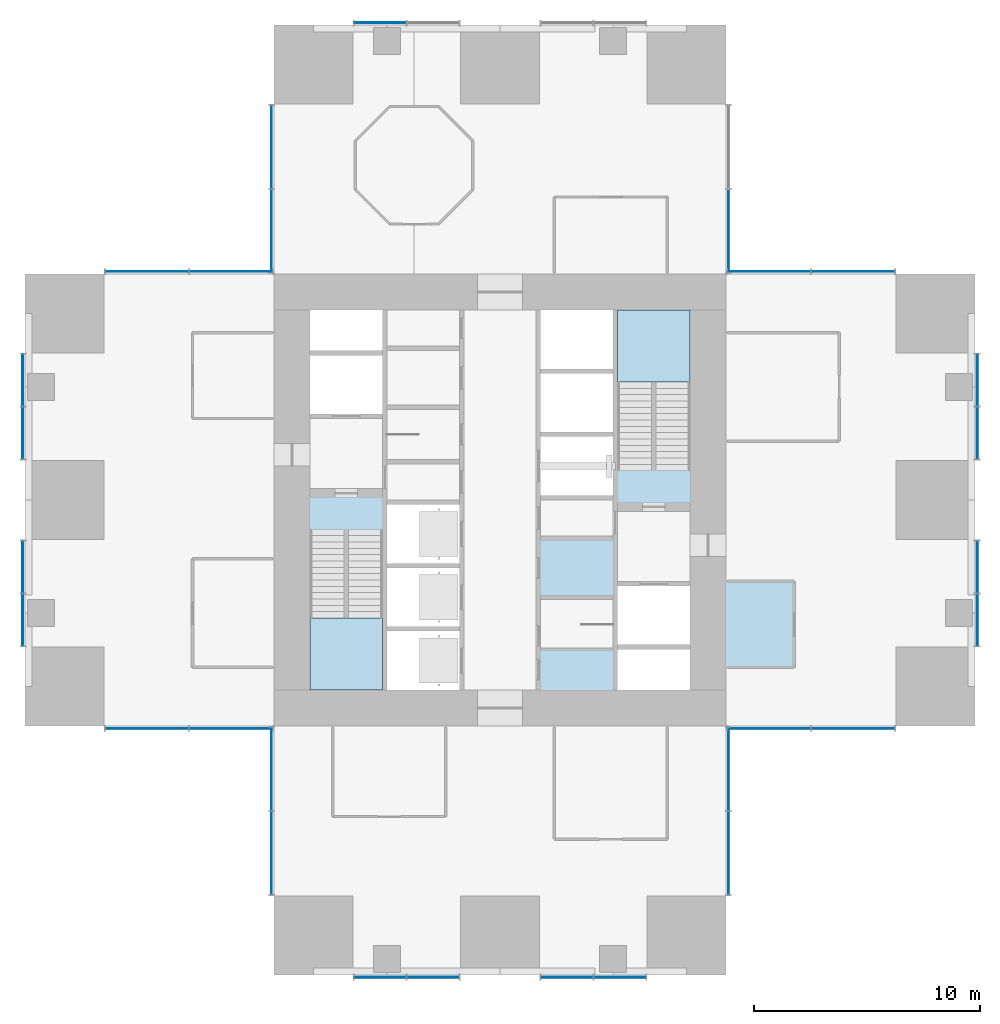
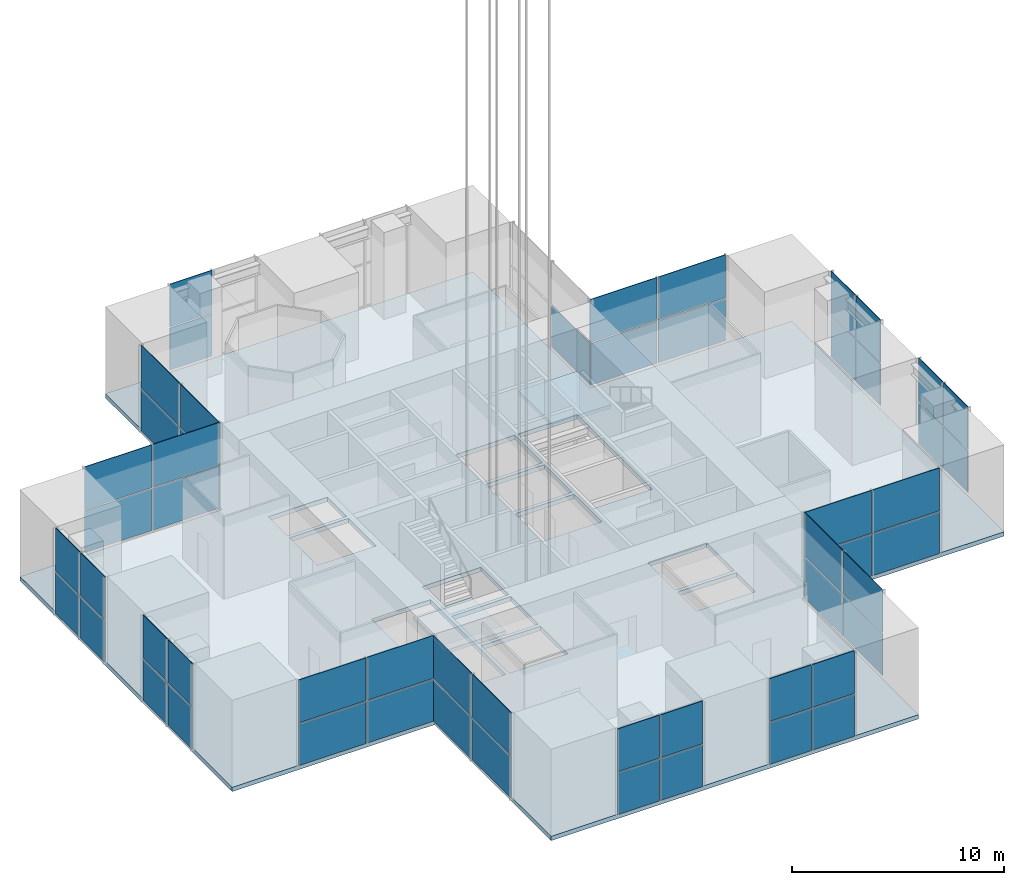
# One storey, part 4 of 16: 55 plates, 3 slabs, 17 elements without a shape of their own.
"""IFC4 building model written with IfcOpenShell, lengths in metres."""

from ifc_helpers import new_model, si_unit, direction, frame, origin, origin_2d, place, context, subcontext, project, spatial, polyline, rectangle, outline, extrude, material, layer, layer_set, type_object, element, aggregate, save


model = new_model("IFC4")

# Units and contexts
model_context = context("Model", 3, precision=1e-05, world=origin(), true_north=direction((0.0, 1.0)))
body_context = subcontext(model_context, "Body", "Model", "MODEL_VIEW")
ifc_project = project(units=[si_unit("LENGTHUNIT", "METRE"), si_unit("AREAUNIT", "SQUARE_METRE"), si_unit("VOLUMEUNIT", "CUBIC_METRE"), si_unit("PLANEANGLEUNIT", "RADIAN"), si_unit("MASSUNIT", "GRAM", prefix="KILO")], contexts=[model_context])

# Site, building, storey
site_placement = place(None, origin())
site = spatial("IfcSite", under=ifc_project, at=site_placement, CompositionType="ELEMENT")
building_placement = place(site_placement, origin())
building = spatial("IfcBuilding", under=site, at=building_placement, Name="Svetlomir Tower", CompositionType="ELEMENT")
storey_placement = place(building_placement, frame((0.0, 0.0, 91.5)))
storey = spatial("IfcBuildingStorey", under=building, at=storey_placement, Name="L21", CompositionType="ELEMENT", Elevation=91.5)

# Curtain wall, plates
ifc_material_1 = material(Name="Bronze anodised aluminium curtain wall", Category="aluminium")
curtain_wall_type = type_object("IfcCurtainWallType", Name="CURTAIN WALL CW2 SKY LOBBY", PredefinedType="NOTDEFINED", material=ifc_material_1)
curtain_wall_1_placement = place(storey_placement, origin())
curtain_wall_1 = element("IfcCurtainWall", 1, at=curtain_wall_1_placement, inside=storey, type_object=curtain_wall_type, Name="Curtain wall CW2 L21", PredefinedType="NOTDEFINED")
ifc_material_2 = material(Name="Tinted double glazed unit", Category="glass")
ifc_layer_1 = layer(ifc_material_2, 0.035888671875)
ifc_layer_set_1 = layer_set([ifc_layer_1], Name="Tinted double glazed unit")
plate_type = type_object("IfcPlateType", Name="CW2 GLAZED PANEL 36", PredefinedType="CURTAIN_PANEL", material=ifc_layer_set_1)
plate_1_placement = place(storey_placement, frame((15.703857421875, -0.10009765625, 0.06494140625), z_axis=(0.0, 0.0, 1.0), x_axis=(1.0, 0.0, 0.0)))
plate_1 = element("IfcPlate", 2, at=plate_1_placement, type_object=plate_type, Name="CW2 panel 1.1", PredefinedType="CURTAIN_PANEL", context=body_context, shape_type="SweptSolid", body=[
    extrude(rectangle(XDim=2.277587890625, YDim=0.035888671875, at=origin_2d()), origin(), (0.0, 0.0, 1.0), 2.402587890625),
])
plate_2_placement = place(storey_placement, frame((15.703857421875, -0.10009765625, 2.53271484375), z_axis=(0.0, 0.0, 1.0), x_axis=(1.0, 0.0, 0.0)))
plate_2 = element("IfcPlate", 3, at=plate_2_placement, type_object=plate_type, Name="CW2 panel 1.2", PredefinedType="CURTAIN_PANEL", context=body_context, shape_type="SweptSolid", body=[
    extrude(rectangle(XDim=2.277587890625, YDim=0.035888671875, at=origin_2d()), origin(), (0.0, 0.0, 1.0), 2.467529296875),
])
plate_3_placement = place(storey_placement, frame((18.046142578125, -0.10009765625, 0.06494140625), z_axis=(0.0, 0.0, 1.0), x_axis=(1.0, 0.0, 0.0)))
plate_3 = element("IfcPlate", 4, at=plate_3_placement, type_object=plate_type, Name="CW2 panel 2.1", PredefinedType="CURTAIN_PANEL", context=body_context, shape_type="SweptSolid", body=[
    extrude(rectangle(XDim=2.277587890625, YDim=0.035888671875, at=origin_2d()), origin(), (0.0, 0.0, 1.0), 2.402587890625),
])
plate_4_placement = place(storey_placement, frame((18.046142578125, -0.10009765625, 2.53271484375), z_axis=(0.0, 0.0, 1.0), x_axis=(1.0, 0.0, 0.0)))
plate_4 = element("IfcPlate", 5, at=plate_4_placement, type_object=plate_type, Name="CW2 panel 2.2", PredefinedType="CURTAIN_PANEL", context=body_context, shape_type="SweptSolid", body=[
    extrude(rectangle(XDim=2.277587890625, YDim=0.035888671875, at=origin_2d()), origin(), (0.0, 0.0, 1.0), 2.467529296875),
])
aggregate(curtain_wall_1, [plate_1, plate_2, plate_3, plate_4])

curtain_wall_2_placement = place(storey_placement, origin())
curtain_wall_2 = element("IfcCurtainWall", 6, at=curtain_wall_2_placement, inside=storey, type_object=curtain_wall_type, Name="Curtain wall CW2 L21", PredefinedType="NOTDEFINED")
plate_5_placement = place(storey_placement, frame((23.953857421875, -0.10009765625, 0.06494140625), z_axis=(0.0, 0.0, 1.0), x_axis=(1.0, 0.0, 0.0)))
plate_5 = element("IfcPlate", 7, at=plate_5_placement, type_object=plate_type, Name="CW2 panel 1.1", PredefinedType="CURTAIN_PANEL", context=body_context, shape_type="SweptSolid", body=[
    extrude(rectangle(XDim=2.277587890625, YDim=0.035888671875, at=origin_2d()), origin(), (0.0, 0.0, 1.0), 2.402587890625),
])
plate_6_placement = place(storey_placement, frame((23.953857421875, -0.10009765625, 2.53271484375), z_axis=(0.0, 0.0, 1.0), x_axis=(1.0, 0.0, 0.0)))
plate_6 = element("IfcPlate", 8, at=plate_6_placement, type_object=plate_type, Name="CW2 panel 1.2", PredefinedType="CURTAIN_PANEL", context=body_context, shape_type="SweptSolid", body=[
    extrude(rectangle(XDim=2.277587890625, YDim=0.035888671875, at=origin_2d()), origin(), (0.0, 0.0, 1.0), 2.467529296875),
])
plate_7_placement = place(storey_placement, frame((26.296142578125, -0.10009765625, 0.06494140625), z_axis=(0.0, 0.0, 1.0), x_axis=(1.0, 0.0, 0.0)))
plate_7 = element("IfcPlate", 9, at=plate_7_placement, type_object=plate_type, Name="CW2 panel 2.1", PredefinedType="CURTAIN_PANEL", context=body_context, shape_type="SweptSolid", body=[
    extrude(rectangle(XDim=2.277587890625, YDim=0.035888671875, at=origin_2d()), origin(), (0.0, 0.0, 1.0), 2.402587890625),
])
plate_8_placement = place(storey_placement, frame((26.296142578125, -0.10009765625, 2.53271484375), z_axis=(0.0, 0.0, 1.0), x_axis=(1.0, 0.0, 0.0)))
plate_8 = element("IfcPlate", 10, at=plate_8_placement, type_object=plate_type, Name="CW2 panel 2.2", PredefinedType="CURTAIN_PANEL", context=body_context, shape_type="SweptSolid", body=[
    extrude(rectangle(XDim=2.277587890625, YDim=0.035888671875, at=origin_2d()), origin(), (0.0, 0.0, 1.0), 2.467529296875),
])
aggregate(curtain_wall_2, [plate_5, plate_6, plate_7, plate_8])

curtain_wall_3_placement = place(storey_placement, origin())
curtain_wall_3 = element("IfcCurtainWall", 11, at=curtain_wall_3_placement, inside=storey, type_object=curtain_wall_type, Name="Curtain wall CW2 L21", PredefinedType="NOTDEFINED")
plate_9_placement = place(storey_placement, frame((31.10009765625, 5.391357421875, 0.06494140625), z_axis=(0.0, 0.0, 1.0), x_axis=(0.0, 1.0, 0.0)))
plate_9 = element("IfcPlate", 12, at=plate_9_placement, type_object=plate_type, Name="CW2 panel 1.1", PredefinedType="CURTAIN_PANEL", context=body_context, shape_type="SweptSolid", body=[
    extrude(rectangle(XDim=3.652587890625, YDim=0.035888671875, at=origin_2d()), origin(), (0.0, 0.0, 1.0), 2.402587890625),
])
plate_10_placement = place(storey_placement, frame((31.10009765625, 5.391357421875, 2.53271484375), z_axis=(0.0, 0.0, 1.0), x_axis=(0.0, 1.0, 0.0)))
plate_10 = element("IfcPlate", 13, at=plate_10_placement, type_object=plate_type, Name="CW2 panel 1.2", PredefinedType="CURTAIN_PANEL", context=body_context, shape_type="SweptSolid", body=[
    extrude(rectangle(XDim=3.652587890625, YDim=0.035888671875, at=origin_2d()), origin(), (0.0, 0.0, 1.0), 2.467529296875),
])
plate_11_placement = place(storey_placement, frame((31.10009765625, 9.108642578125, 0.06494140625), z_axis=(0.0, 0.0, 1.0), x_axis=(0.0, 1.0, 0.0)))
plate_11 = element("IfcPlate", 14, at=plate_11_placement, type_object=plate_type, Name="CW2 panel 2.1", PredefinedType="CURTAIN_PANEL", context=body_context, shape_type="SweptSolid", body=[
    extrude(rectangle(XDim=3.652587890625, YDim=0.035888671875, at=origin_2d()), origin(), (0.0, 0.0, 1.0), 2.402587890625),
])
plate_12_placement = place(storey_placement, frame((31.10009765625, 9.108642578125, 2.53271484375), z_axis=(0.0, 0.0, 1.0), x_axis=(0.0, 1.0, 0.0)))
plate_12 = element("IfcPlate", 15, at=plate_12_placement, type_object=plate_type, Name="CW2 panel 2.2", PredefinedType="CURTAIN_PANEL", context=body_context, shape_type="SweptSolid", body=[
    extrude(rectangle(XDim=3.652587890625, YDim=0.035888671875, at=origin_2d()), origin(), (0.0, 0.0, 1.0), 2.467529296875),
])
aggregate(curtain_wall_3, [plate_9, plate_10, plate_11, plate_12])

curtain_wall_4_placement = place(storey_placement, origin())
curtain_wall_4 = element("IfcCurtainWall", 16, at=curtain_wall_4_placement, inside=storey, type_object=curtain_wall_type, Name="Curtain wall CW2 L21", PredefinedType="NOTDEFINED")
plate_13_placement = place(storey_placement, frame((32.891357421875, 10.89990234375, 0.06494140625), z_axis=(0.0, 0.0, 1.0), x_axis=(1.0, 0.0, 0.0)))
plate_13 = element("IfcPlate", 17, at=plate_13_placement, type_object=plate_type, Name="CW2 panel 1.1", PredefinedType="CURTAIN_PANEL", context=body_context, shape_type="SweptSolid", body=[
    extrude(rectangle(XDim=3.652587890625, YDim=0.035888671875, at=origin_2d()), origin(), (0.0, 0.0, 1.0), 2.402587890625),
])
plate_14_placement = place(storey_placement, frame((32.891357421875, 10.89990234375, 2.53271484375), z_axis=(0.0, 0.0, 1.0), x_axis=(1.0, 0.0, 0.0)))
plate_14 = element("IfcPlate", 18, at=plate_14_placement, type_object=plate_type, Name="CW2 panel 1.2", PredefinedType="CURTAIN_PANEL", context=body_context, shape_type="SweptSolid", body=[
    extrude(rectangle(XDim=3.652587890625, YDim=0.035888671875, at=origin_2d()), origin(), (0.0, 0.0, 1.0), 2.467529296875),
])
plate_15_placement = place(storey_placement, frame((36.608642578125, 10.89990234375, 0.06494140625), z_axis=(0.0, 0.0, 1.0), x_axis=(1.0, 0.0, 0.0)))
plate_15 = element("IfcPlate", 19, at=plate_15_placement, type_object=plate_type, Name="CW2 panel 2.1", PredefinedType="CURTAIN_PANEL", context=body_context, shape_type="SweptSolid", body=[
    extrude(rectangle(XDim=3.652587890625, YDim=0.035888671875, at=origin_2d()), origin(), (0.0, 0.0, 1.0), 2.402587890625),
])
plate_16_placement = place(storey_placement, frame((36.608642578125, 10.89990234375, 2.53271484375), z_axis=(0.0, 0.0, 1.0), x_axis=(1.0, 0.0, 0.0)))
plate_16 = element("IfcPlate", 20, at=plate_16_placement, type_object=plate_type, Name="CW2 panel 2.2", PredefinedType="CURTAIN_PANEL", context=body_context, shape_type="SweptSolid", body=[
    extrude(rectangle(XDim=3.652587890625, YDim=0.035888671875, at=origin_2d()), origin(), (0.0, 0.0, 1.0), 2.467529296875),
])
aggregate(curtain_wall_4, [plate_13, plate_14, plate_15, plate_16])

curtain_wall_5_placement = place(storey_placement, origin())
curtain_wall_5 = element("IfcCurtainWall", 21, at=curtain_wall_5_placement, inside=storey, type_object=curtain_wall_type, Name="Curtain wall CW2 L21", PredefinedType="NOTDEFINED")
plate_17_placement = place(storey_placement, frame((42.10009765625, 15.703857421875, 0.06494140625), z_axis=(0.0, 0.0, 1.0), x_axis=(0.0, 1.0, 0.0)))
plate_17 = element("IfcPlate", 22, at=plate_17_placement, type_object=plate_type, Name="CW2 panel 1.1", PredefinedType="CURTAIN_PANEL", context=body_context, shape_type="SweptSolid", body=[
    extrude(rectangle(XDim=2.277587890625, YDim=0.035888671875, at=origin_2d()), origin(), (0.0, 0.0, 1.0), 2.402587890625),
])
plate_18_placement = place(storey_placement, frame((42.10009765625, 15.703857421875, 2.53271484375), z_axis=(0.0, 0.0, 1.0), x_axis=(0.0, 1.0, 0.0)))
plate_18 = element("IfcPlate", 23, at=plate_18_placement, type_object=plate_type, Name="CW2 panel 1.2", PredefinedType="CURTAIN_PANEL", context=body_context, shape_type="SweptSolid", body=[
    extrude(rectangle(XDim=2.277587890625, YDim=0.035888671875, at=origin_2d()), origin(), (0.0, 0.0, 1.0), 2.467529296875),
])
plate_19_placement = place(storey_placement, frame((42.10009765625, 18.046142578125, 0.06494140625), z_axis=(0.0, 0.0, 1.0), x_axis=(0.0, 1.0, 0.0)))
plate_19 = element("IfcPlate", 24, at=plate_19_placement, type_object=plate_type, Name="CW2 panel 2.1", PredefinedType="CURTAIN_PANEL", context=body_context, shape_type="SweptSolid", body=[
    extrude(rectangle(XDim=2.277587890625, YDim=0.035888671875, at=origin_2d()), origin(), (0.0, 0.0, 1.0), 2.402587890625),
])
plate_20_placement = place(storey_placement, frame((42.10009765625, 18.046142578125, 2.53271484375), z_axis=(0.0, 0.0, 1.0), x_axis=(0.0, 1.0, 0.0)))
plate_20 = element("IfcPlate", 25, at=plate_20_placement, type_object=plate_type, Name="CW2 panel 2.2", PredefinedType="CURTAIN_PANEL", context=body_context, shape_type="SweptSolid", body=[
    extrude(rectangle(XDim=2.277587890625, YDim=0.035888671875, at=origin_2d()), origin(), (0.0, 0.0, 1.0), 2.467529296875),
])
aggregate(curtain_wall_5, [plate_17, plate_18, plate_19, plate_20])

curtain_wall_6_placement = place(storey_placement, origin())
curtain_wall_6 = element("IfcCurtainWall", 26, at=curtain_wall_6_placement, inside=storey, type_object=curtain_wall_type, Name="Curtain wall CW2 L21", PredefinedType="NOTDEFINED")
plate_21_placement = place(storey_placement, frame((42.10009765625, 23.953857421875, 0.06494140625), z_axis=(0.0, 0.0, 1.0), x_axis=(0.0, 1.0, 0.0)))
plate_21 = element("IfcPlate", 27, at=plate_21_placement, type_object=plate_type, Name="CW2 panel 1.1", PredefinedType="CURTAIN_PANEL", context=body_context, shape_type="SweptSolid", body=[
    extrude(rectangle(XDim=2.277587890625, YDim=0.035888671875, at=origin_2d()), origin(), (0.0, 0.0, 1.0), 2.402587890625),
])
plate_22_placement = place(storey_placement, frame((42.10009765625, 23.953857421875, 2.53271484375), z_axis=(0.0, 0.0, 1.0), x_axis=(0.0, 1.0, 0.0)))
plate_22 = element("IfcPlate", 28, at=plate_22_placement, type_object=plate_type, Name="CW2 panel 1.2", PredefinedType="CURTAIN_PANEL", context=body_context, shape_type="SweptSolid", body=[
    extrude(rectangle(XDim=2.277587890625, YDim=0.035888671875, at=origin_2d()), origin(), (0.0, 0.0, 1.0), 2.467529296875),
])
plate_23_placement = place(storey_placement, frame((42.10009765625, 26.296142578125, 0.06494140625), z_axis=(0.0, 0.0, 1.0), x_axis=(0.0, 1.0, 0.0)))
plate_23 = element("IfcPlate", 29, at=plate_23_placement, type_object=plate_type, Name="CW2 panel 2.1", PredefinedType="CURTAIN_PANEL", context=body_context, shape_type="SweptSolid", body=[
    extrude(rectangle(XDim=2.277587890625, YDim=0.035888671875, at=origin_2d()), origin(), (0.0, 0.0, 1.0), 2.402587890625),
])
plate_24_placement = place(storey_placement, frame((42.10009765625, 26.296142578125, 2.53271484375), z_axis=(0.0, 0.0, 1.0), x_axis=(0.0, 1.0, 0.0)))
plate_24 = element("IfcPlate", 30, at=plate_24_placement, type_object=plate_type, Name="CW2 panel 2.2", PredefinedType="CURTAIN_PANEL", context=body_context, shape_type="SweptSolid", body=[
    extrude(rectangle(XDim=2.277587890625, YDim=0.035888671875, at=origin_2d()), origin(), (0.0, 0.0, 1.0), 2.467529296875),
])
aggregate(curtain_wall_6, [plate_21, plate_22, plate_23, plate_24])

curtain_wall_7_placement = place(storey_placement, origin())
curtain_wall_7 = element("IfcCurtainWall", 31, at=curtain_wall_7_placement, inside=storey, type_object=curtain_wall_type, Name="Curtain wall CW2 L21", PredefinedType="NOTDEFINED")
plate_25_placement = place(storey_placement, frame((36.608642578125, 31.10009765625, 0.06494140625), z_axis=(0.0, 0.0, 1.0), x_axis=(-1.0, 0.0, 0.0)))
plate_25 = element("IfcPlate", 32, at=plate_25_placement, type_object=plate_type, Name="CW2 panel 1.1", PredefinedType="CURTAIN_PANEL", context=body_context, shape_type="SweptSolid", body=[
    extrude(rectangle(XDim=3.652587890625, YDim=0.035888671875, at=origin_2d()), origin(), (0.0, 0.0, 1.0), 2.402587890625),
])
plate_26_placement = place(storey_placement, frame((36.608642578125, 31.10009765625, 2.53271484375), z_axis=(0.0, 0.0, 1.0), x_axis=(-1.0, 0.0, 0.0)))
plate_26 = element("IfcPlate", 33, at=plate_26_placement, type_object=plate_type, Name="CW2 panel 1.2", PredefinedType="CURTAIN_PANEL", context=body_context, shape_type="SweptSolid", body=[
    extrude(rectangle(XDim=3.652587890625, YDim=0.035888671875, at=origin_2d()), origin(), (0.0, 0.0, 1.0), 2.467529296875),
])
plate_27_placement = place(storey_placement, frame((32.891357421875, 31.10009765625, 0.06494140625), z_axis=(0.0, 0.0, 1.0), x_axis=(-1.0, 0.0, 0.0)))
plate_27 = element("IfcPlate", 34, at=plate_27_placement, type_object=plate_type, Name="CW2 panel 2.1", PredefinedType="CURTAIN_PANEL", context=body_context, shape_type="SweptSolid", body=[
    extrude(rectangle(XDim=3.652587890625, YDim=0.035888671875, at=origin_2d()), origin(), (0.0, 0.0, 1.0), 2.402587890625),
])
plate_28_placement = place(storey_placement, frame((32.891357421875, 31.10009765625, 2.53271484375), z_axis=(0.0, 0.0, 1.0), x_axis=(-1.0, 0.0, 0.0)))
plate_28 = element("IfcPlate", 35, at=plate_28_placement, type_object=plate_type, Name="CW2 panel 2.2", PredefinedType="CURTAIN_PANEL", context=body_context, shape_type="SweptSolid", body=[
    extrude(rectangle(XDim=3.652587890625, YDim=0.035888671875, at=origin_2d()), origin(), (0.0, 0.0, 1.0), 2.467529296875),
])
aggregate(curtain_wall_7, [plate_25, plate_26, plate_27, plate_28])

# Curtain wall, plate
curtain_wall_8_placement = place(storey_placement, origin())
curtain_wall_8 = element("IfcCurtainWall", 36, at=curtain_wall_8_placement, inside=storey, type_object=curtain_wall_type, Name="Curtain wall CW2 L21", PredefinedType="NOTDEFINED")
plate_29_placement = place(storey_placement, frame((31.10009765625, 32.891357421875, 0.06494140625), z_axis=(0.0, 0.0, 1.0), x_axis=(0.0, 1.0, 0.0)))
plate_29 = element("IfcPlate", 37, at=plate_29_placement, type_object=plate_type, Name="CW2 panel 1.1", PredefinedType="CURTAIN_PANEL", context=body_context, shape_type="SweptSolid", body=[
    extrude(rectangle(XDim=3.652587890625, YDim=0.035888671875, at=origin_2d()), origin(), (0.0, 0.0, 1.0), 2.402587890625),
])
aggregate(curtain_wall_8, [plate_29])

# Curtain wall, plates
curtain_wall_9_placement = place(storey_placement, origin())
curtain_wall_9 = element("IfcCurtainWall", 38, at=curtain_wall_9_placement, inside=storey, type_object=curtain_wall_type, Name="Curtain wall CW2 L21", PredefinedType="NOTDEFINED")
plate_30_placement = place(storey_placement, frame((15.703857421875, 42.10009765625, 0.06494140625), z_axis=(0.0, 0.0, 1.0), x_axis=(-1.0, 0.0, 0.0)))
plate_30 = element("IfcPlate", 39, at=plate_30_placement, type_object=plate_type, Name="CW2 panel 2.1", PredefinedType="CURTAIN_PANEL", context=body_context, shape_type="SweptSolid", body=[
    extrude(rectangle(XDim=2.277587890625, YDim=0.035888671875, at=origin_2d()), origin(), (0.0, 0.0, 1.0), 2.402587890625),
])
plate_31_placement = place(storey_placement, frame((15.703857421875, 42.10009765625, 2.53271484375), z_axis=(0.0, 0.0, 1.0), x_axis=(-1.0, 0.0, 0.0)))
plate_31 = element("IfcPlate", 40, at=plate_31_placement, type_object=plate_type, Name="CW2 panel 2.2", PredefinedType="CURTAIN_PANEL", context=body_context, shape_type="SweptSolid", body=[
    extrude(rectangle(XDim=2.277587890625, YDim=0.035888671875, at=origin_2d()), origin(), (0.0, 0.0, 1.0), 2.467529296875),
])
aggregate(curtain_wall_9, [plate_30, plate_31])

curtain_wall_10_placement = place(storey_placement, origin())
curtain_wall_10 = element("IfcCurtainWall", 41, at=curtain_wall_10_placement, inside=storey, type_object=curtain_wall_type, Name="Curtain wall CW2 L21", PredefinedType="NOTDEFINED")
plate_32_placement = place(storey_placement, frame((10.89990234375, 36.608642578125, 0.06494140625), z_axis=(0.0, 0.0, 1.0), x_axis=(0.0, -1.0, 0.0)))
plate_32 = element("IfcPlate", 42, at=plate_32_placement, type_object=plate_type, Name="CW2 panel 1.1", PredefinedType="CURTAIN_PANEL", context=body_context, shape_type="SweptSolid", body=[
    extrude(rectangle(XDim=3.652587890625, YDim=0.035888671875, at=origin_2d()), origin(), (0.0, 0.0, 1.0), 2.402587890625),
])
plate_33_placement = place(storey_placement, frame((10.89990234375, 36.608642578125, 2.53271484375), z_axis=(0.0, 0.0, 1.0), x_axis=(0.0, -1.0, 0.0)))
plate_33 = element("IfcPlate", 43, at=plate_33_placement, type_object=plate_type, Name="CW2 panel 1.2", PredefinedType="CURTAIN_PANEL", context=body_context, shape_type="SweptSolid", body=[
    extrude(rectangle(XDim=3.652587890625, YDim=0.035888671875, at=origin_2d()), origin(), (0.0, 0.0, 1.0), 2.467529296875),
])
plate_34_placement = place(storey_placement, frame((10.89990234375, 32.891357421875, 0.06494140625), z_axis=(0.0, 0.0, 1.0), x_axis=(0.0, -1.0, 0.0)))
plate_34 = element("IfcPlate", 44, at=plate_34_placement, type_object=plate_type, Name="CW2 panel 2.1", PredefinedType="CURTAIN_PANEL", context=body_context, shape_type="SweptSolid", body=[
    extrude(rectangle(XDim=3.652587890625, YDim=0.035888671875, at=origin_2d()), origin(), (0.0, 0.0, 1.0), 2.402587890625),
])
plate_35_placement = place(storey_placement, frame((10.89990234375, 32.891357421875, 2.53271484375), z_axis=(0.0, 0.0, 1.0), x_axis=(0.0, -1.0, 0.0)))
plate_35 = element("IfcPlate", 45, at=plate_35_placement, type_object=plate_type, Name="CW2 panel 2.2", PredefinedType="CURTAIN_PANEL", context=body_context, shape_type="SweptSolid", body=[
    extrude(rectangle(XDim=3.652587890625, YDim=0.035888671875, at=origin_2d()), origin(), (0.0, 0.0, 1.0), 2.467529296875),
])
aggregate(curtain_wall_10, [plate_32, plate_33, plate_34, plate_35])

curtain_wall_11_placement = place(storey_placement, origin())
curtain_wall_11 = element("IfcCurtainWall", 46, at=curtain_wall_11_placement, inside=storey, type_object=curtain_wall_type, Name="Curtain wall CW2 L21", PredefinedType="NOTDEFINED")
plate_36_placement = place(storey_placement, frame((9.108642578125, 31.10009765625, 0.06494140625), z_axis=(0.0, 0.0, 1.0), x_axis=(-1.0, 0.0, 0.0)))
plate_36 = element("IfcPlate", 47, at=plate_36_placement, type_object=plate_type, Name="CW2 panel 1.1", PredefinedType="CURTAIN_PANEL", context=body_context, shape_type="SweptSolid", body=[
    extrude(rectangle(XDim=3.652587890625, YDim=0.035888671875, at=origin_2d()), origin(), (0.0, 0.0, 1.0), 2.402587890625),
])
plate_37_placement = place(storey_placement, frame((9.108642578125, 31.10009765625, 2.53271484375), z_axis=(0.0, 0.0, 1.0), x_axis=(-1.0, 0.0, 0.0)))
plate_37 = element("IfcPlate", 48, at=plate_37_placement, type_object=plate_type, Name="CW2 panel 1.2", PredefinedType="CURTAIN_PANEL", context=body_context, shape_type="SweptSolid", body=[
    extrude(rectangle(XDim=3.652587890625, YDim=0.035888671875, at=origin_2d()), origin(), (0.0, 0.0, 1.0), 2.467529296875),
])
plate_38_placement = place(storey_placement, frame((5.391357421875, 31.10009765625, 0.06494140625), z_axis=(0.0, 0.0, 1.0), x_axis=(-1.0, 0.0, 0.0)))
plate_38 = element("IfcPlate", 49, at=plate_38_placement, type_object=plate_type, Name="CW2 panel 2.1", PredefinedType="CURTAIN_PANEL", context=body_context, shape_type="SweptSolid", body=[
    extrude(rectangle(XDim=3.652587890625, YDim=0.035888671875, at=origin_2d()), origin(), (0.0, 0.0, 1.0), 2.402587890625),
])
plate_39_placement = place(storey_placement, frame((5.391357421875, 31.10009765625, 2.53271484375), z_axis=(0.0, 0.0, 1.0), x_axis=(-1.0, 0.0, 0.0)))
plate_39 = element("IfcPlate", 50, at=plate_39_placement, type_object=plate_type, Name="CW2 panel 2.2", PredefinedType="CURTAIN_PANEL", context=body_context, shape_type="SweptSolid", body=[
    extrude(rectangle(XDim=3.652587890625, YDim=0.035888671875, at=origin_2d()), origin(), (0.0, 0.0, 1.0), 2.467529296875),
])
aggregate(curtain_wall_11, [plate_36, plate_37, plate_38, plate_39])

curtain_wall_12_placement = place(storey_placement, origin())
curtain_wall_12 = element("IfcCurtainWall", 51, at=curtain_wall_12_placement, inside=storey, type_object=curtain_wall_type, Name="Curtain wall CW2 L21", PredefinedType="NOTDEFINED")
plate_40_placement = place(storey_placement, frame((-0.10009765625, 26.296142578125, 0.06494140625), z_axis=(0.0, 0.0, 1.0), x_axis=(0.0, -1.0, 0.0)))
plate_40 = element("IfcPlate", 52, at=plate_40_placement, type_object=plate_type, Name="CW2 panel 1.1", PredefinedType="CURTAIN_PANEL", context=body_context, shape_type="SweptSolid", body=[
    extrude(rectangle(XDim=2.277587890625, YDim=0.035888671875, at=origin_2d()), origin(), (0.0, 0.0, 1.0), 2.402587890625),
])
plate_41_placement = place(storey_placement, frame((-0.10009765625, 26.296142578125, 2.53271484375), z_axis=(0.0, 0.0, 1.0), x_axis=(0.0, -1.0, 0.0)))
plate_41 = element("IfcPlate", 53, at=plate_41_placement, type_object=plate_type, Name="CW2 panel 1.2", PredefinedType="CURTAIN_PANEL", context=body_context, shape_type="SweptSolid", body=[
    extrude(rectangle(XDim=2.277587890625, YDim=0.035888671875, at=origin_2d()), origin(), (0.0, 0.0, 1.0), 2.467529296875),
])
plate_42_placement = place(storey_placement, frame((-0.10009765625, 23.953857421875, 0.06494140625), z_axis=(0.0, 0.0, 1.0), x_axis=(0.0, -1.0, 0.0)))
plate_42 = element("IfcPlate", 54, at=plate_42_placement, type_object=plate_type, Name="CW2 panel 2.1", PredefinedType="CURTAIN_PANEL", context=body_context, shape_type="SweptSolid", body=[
    extrude(rectangle(XDim=2.277587890625, YDim=0.035888671875, at=origin_2d()), origin(), (0.0, 0.0, 1.0), 2.402587890625),
])
plate_43_placement = place(storey_placement, frame((-0.10009765625, 23.953857421875, 2.53271484375), z_axis=(0.0, 0.0, 1.0), x_axis=(0.0, -1.0, 0.0)))
plate_43 = element("IfcPlate", 55, at=plate_43_placement, type_object=plate_type, Name="CW2 panel 2.2", PredefinedType="CURTAIN_PANEL", context=body_context, shape_type="SweptSolid", body=[
    extrude(rectangle(XDim=2.277587890625, YDim=0.035888671875, at=origin_2d()), origin(), (0.0, 0.0, 1.0), 2.467529296875),
])
aggregate(curtain_wall_12, [plate_40, plate_41, plate_42, plate_43])

curtain_wall_13_placement = place(storey_placement, origin())
curtain_wall_13 = element("IfcCurtainWall", 56, at=curtain_wall_13_placement, inside=storey, type_object=curtain_wall_type, Name="Curtain wall CW2 L21", PredefinedType="NOTDEFINED")
plate_44_placement = place(storey_placement, frame((-0.10009765625, 18.046142578125, 0.06494140625), z_axis=(0.0, 0.0, 1.0), x_axis=(0.0, -1.0, 0.0)))
plate_44 = element("IfcPlate", 57, at=plate_44_placement, type_object=plate_type, Name="CW2 panel 1.1", PredefinedType="CURTAIN_PANEL", context=body_context, shape_type="SweptSolid", body=[
    extrude(rectangle(XDim=2.277587890625, YDim=0.035888671875, at=origin_2d()), origin(), (0.0, 0.0, 1.0), 2.402587890625),
])
plate_45_placement = place(storey_placement, frame((-0.10009765625, 18.046142578125, 2.53271484375), z_axis=(0.0, 0.0, 1.0), x_axis=(0.0, -1.0, 0.0)))
plate_45 = element("IfcPlate", 58, at=plate_45_placement, type_object=plate_type, Name="CW2 panel 1.2", PredefinedType="CURTAIN_PANEL", context=body_context, shape_type="SweptSolid", body=[
    extrude(rectangle(XDim=2.277587890625, YDim=0.035888671875, at=origin_2d()), origin(), (0.0, 0.0, 1.0), 2.467529296875),
])
plate_46_placement = place(storey_placement, frame((-0.10009765625, 15.703857421875, 0.06494140625), z_axis=(0.0, 0.0, 1.0), x_axis=(0.0, -1.0, 0.0)))
plate_46 = element("IfcPlate", 59, at=plate_46_placement, type_object=plate_type, Name="CW2 panel 2.1", PredefinedType="CURTAIN_PANEL", context=body_context, shape_type="SweptSolid", body=[
    extrude(rectangle(XDim=2.277587890625, YDim=0.035888671875, at=origin_2d()), origin(), (0.0, 0.0, 1.0), 2.402587890625),
])
plate_47_placement = place(storey_placement, frame((-0.10009765625, 15.703857421875, 2.53271484375), z_axis=(0.0, 0.0, 1.0), x_axis=(0.0, -1.0, 0.0)))
plate_47 = element("IfcPlate", 60, at=plate_47_placement, type_object=plate_type, Name="CW2 panel 2.2", PredefinedType="CURTAIN_PANEL", context=body_context, shape_type="SweptSolid", body=[
    extrude(rectangle(XDim=2.277587890625, YDim=0.035888671875, at=origin_2d()), origin(), (0.0, 0.0, 1.0), 2.467529296875),
])
aggregate(curtain_wall_13, [plate_44, plate_45, plate_46, plate_47])

curtain_wall_14_placement = place(storey_placement, origin())
curtain_wall_14 = element("IfcCurtainWall", 61, at=curtain_wall_14_placement, inside=storey, type_object=curtain_wall_type, Name="Curtain wall CW2 L21", PredefinedType="NOTDEFINED")
plate_48_placement = place(storey_placement, frame((5.391357421875, 10.89990234375, 0.06494140625), z_axis=(0.0, 0.0, 1.0), x_axis=(1.0, 0.0, 0.0)))
plate_48 = element("IfcPlate", 62, at=plate_48_placement, type_object=plate_type, Name="CW2 panel 1.1", PredefinedType="CURTAIN_PANEL", context=body_context, shape_type="SweptSolid", body=[
    extrude(rectangle(XDim=3.652587890625, YDim=0.035888671875, at=origin_2d()), origin(), (0.0, 0.0, 1.0), 2.402587890625),
])
plate_49_placement = place(storey_placement, frame((5.391357421875, 10.89990234375, 2.53271484375), z_axis=(0.0, 0.0, 1.0), x_axis=(1.0, 0.0, 0.0)))
plate_49 = element("IfcPlate", 63, at=plate_49_placement, type_object=plate_type, Name="CW2 panel 1.2", PredefinedType="CURTAIN_PANEL", context=body_context, shape_type="SweptSolid", body=[
    extrude(rectangle(XDim=3.652587890625, YDim=0.035888671875, at=origin_2d()), origin(), (0.0, 0.0, 1.0), 2.467529296875),
])
plate_50_placement = place(storey_placement, frame((9.108642578125, 10.89990234375, 0.06494140625), z_axis=(0.0, 0.0, 1.0), x_axis=(1.0, 0.0, 0.0)))
plate_50 = element("IfcPlate", 64, at=plate_50_placement, type_object=plate_type, Name="CW2 panel 2.1", PredefinedType="CURTAIN_PANEL", context=body_context, shape_type="SweptSolid", body=[
    extrude(rectangle(XDim=3.652587890625, YDim=0.035888671875, at=origin_2d()), origin(), (0.0, 0.0, 1.0), 2.402587890625),
])
plate_51_placement = place(storey_placement, frame((9.108642578125, 10.89990234375, 2.53271484375), z_axis=(0.0, 0.0, 1.0), x_axis=(1.0, 0.0, 0.0)))
plate_51 = element("IfcPlate", 65, at=plate_51_placement, type_object=plate_type, Name="CW2 panel 2.2", PredefinedType="CURTAIN_PANEL", context=body_context, shape_type="SweptSolid", body=[
    extrude(rectangle(XDim=3.652587890625, YDim=0.035888671875, at=origin_2d()), origin(), (0.0, 0.0, 1.0), 2.467529296875),
])
aggregate(curtain_wall_14, [plate_48, plate_49, plate_50, plate_51])

curtain_wall_15_placement = place(storey_placement, origin())
curtain_wall_15 = element("IfcCurtainWall", 66, at=curtain_wall_15_placement, inside=storey, type_object=curtain_wall_type, Name="Curtain wall CW2 L21", PredefinedType="NOTDEFINED")
plate_52_placement = place(storey_placement, frame((10.89990234375, 9.108642578125, 0.06494140625), z_axis=(0.0, 0.0, 1.0), x_axis=(0.0, -1.0, 0.0)))
plate_52 = element("IfcPlate", 67, at=plate_52_placement, type_object=plate_type, Name="CW2 panel 1.1", PredefinedType="CURTAIN_PANEL", context=body_context, shape_type="SweptSolid", body=[
    extrude(rectangle(XDim=3.652587890625, YDim=0.035888671875, at=origin_2d()), origin(), (0.0, 0.0, 1.0), 2.402587890625),
])
plate_53_placement = place(storey_placement, frame((10.89990234375, 9.108642578125, 2.53271484375), z_axis=(0.0, 0.0, 1.0), x_axis=(0.0, -1.0, 0.0)))
plate_53 = element("IfcPlate", 68, at=plate_53_placement, type_object=plate_type, Name="CW2 panel 1.2", PredefinedType="CURTAIN_PANEL", context=body_context, shape_type="SweptSolid", body=[
    extrude(rectangle(XDim=3.652587890625, YDim=0.035888671875, at=origin_2d()), origin(), (0.0, 0.0, 1.0), 2.467529296875),
])
plate_54_placement = place(storey_placement, frame((10.89990234375, 5.391357421875, 0.06494140625), z_axis=(0.0, 0.0, 1.0), x_axis=(0.0, -1.0, 0.0)))
plate_54 = element("IfcPlate", 69, at=plate_54_placement, type_object=plate_type, Name="CW2 panel 2.1", PredefinedType="CURTAIN_PANEL", context=body_context, shape_type="SweptSolid", body=[
    extrude(rectangle(XDim=3.652587890625, YDim=0.035888671875, at=origin_2d()), origin(), (0.0, 0.0, 1.0), 2.402587890625),
])
plate_55_placement = place(storey_placement, frame((10.89990234375, 5.391357421875, 2.53271484375), z_axis=(0.0, 0.0, 1.0), x_axis=(0.0, -1.0, 0.0)))
plate_55 = element("IfcPlate", 70, at=plate_55_placement, type_object=plate_type, Name="CW2 panel 2.2", PredefinedType="CURTAIN_PANEL", context=body_context, shape_type="SweptSolid", body=[
    extrude(rectangle(XDim=3.652587890625, YDim=0.035888671875, at=origin_2d()), origin(), (0.0, 0.0, 1.0), 2.467529296875),
])
aggregate(curtain_wall_15, [plate_52, plate_53, plate_54, plate_55])

# Slab
ifc_material_3 = material(Name="Concrete C60/75", Category="concrete")
ifc_layer_2 = layer(ifc_material_3, 0.25)
ifc_layer_set_2 = layer_set([ifc_layer_2], Name="Concrete C60/75")
slab_type_1 = type_object("IfcSlabType", Name="FLOOR SLAB 250", PredefinedType="FLOOR", material=ifc_layer_set_2)
slab_1_placement = place(storey_placement, frame((0.0, 0.0, -0.25)))
element("IfcSlab", 71, at=slab_1_placement, inside=storey, type_object=slab_type_1, Name="L21 floor slab", PredefinedType="FLOOR", context=body_context, shape_type="SweptSolid", body=[
    extrude(outline(polyline([(11.0, 0.0), (31.0, 0.0), (31.0, 11.0), (42.0, 11.0), (42.0, 31.0), (31.0, 31.0), (31.0, 42.0), (11.0, 42.0), (11.0, 31.0), (0.0, 31.0), (0.0, 11.0), (11.0, 11.0), (11.0, 0.0)]), holes=[polyline([(12.60009765625, 24.800048828125), (15.800048828125, 24.800048828125), (15.800048828125, 27.39990234375), (12.60009765625, 27.39990234375), (12.60009765625, 24.800048828125)]), polyline([(26.199951171875, 14.60009765625), (29.39990234375, 14.60009765625), (29.39990234375, 17.199951171875), (26.199951171875, 17.199951171875), (26.199951171875, 14.60009765625)]), polyline([(16.0, 12.60009765625), (19.199951171875, 12.60009765625), (19.199951171875, 15.199951171875), (16.0, 15.199951171875), (16.0, 12.60009765625)]), polyline([(16.0, 15.39990234375), (19.199951171875, 15.39990234375), (19.199951171875, 18.0), (16.0, 18.0), (16.0, 15.39990234375)]), polyline([(16.0, 18.199951171875), (19.199951171875, 18.199951171875), (19.199951171875, 20.800048828125), (16.0, 20.800048828125), (16.0, 18.199951171875)]), polyline([(22.800048828125, 21.199951171875), (26.0, 21.199951171875), (26.0, 23.800048828125), (22.800048828125, 23.800048828125), (22.800048828125, 21.199951171875)]), polyline([(22.800048828125, 24.0), (26.0, 24.0), (26.0, 26.60009765625), (22.800048828125, 26.60009765625), (22.800048828125, 24.0)]), polyline([(22.800048828125, 26.800048828125), (26.0, 26.800048828125), (26.0, 29.39990234375), (22.800048828125, 29.39990234375), (22.800048828125, 26.800048828125)]), polyline([(12.60009765625, 27.60009765625), (15.800048828125, 27.60009765625), (15.800048828125, 29.39990234375), (12.60009765625, 29.39990234375), (12.60009765625, 27.60009765625)]), polyline([(26.199951171875, 12.60009765625), (29.39990234375, 12.60009765625), (29.39990234375, 14.39990234375), (26.199951171875, 14.39990234375), (26.199951171875, 12.60009765625)]), polyline([(12.60009765625, 12.60009765625), (15.800048828125, 12.60009765625), (15.800048828125, 19.679931640625), (12.60009765625, 19.679931640625), (12.60009765625, 12.60009765625)]), polyline([(26.199951171875, 22.320068359375), (29.39990234375, 22.320068359375), (29.39990234375, 29.39990234375), (26.199951171875, 29.39990234375), (26.199951171875, 22.320068359375)])]), origin(), (0.0, 0.0, 1.0), 0.25),
])

# Stair, slab
ifc_material_4 = material(Name="Concrete C60/75", Category="concrete")
stair_type = type_object("IfcStairType", Name="EXIT STAIR 3200 RISE 5000", PredefinedType="HALF_TURN_STAIR", material=ifc_material_4)
stair_1_placement = place(storey_placement, origin())
stair_1 = element("IfcStair", 72, at=stair_1_placement, inside=storey, type_object=stair_type, Name="Stair S1 L21 to L22", PredefinedType="HALF_TURN_STAIR")
ifc_material_5 = material(Name="Concrete C60/75", Category="concrete")
ifc_layer_3 = layer(ifc_material_5, 0.199951171875)
ifc_layer_set_3 = layer_set([ifc_layer_3], Name="Concrete C60/75")
slab_type_2 = type_object("IfcSlabType", Name="STAIR LANDING 200", PredefinedType="LANDING", material=ifc_layer_set_3)
slab_2_placement = place(storey_placement, frame((0.0, 0.0, 2.300048828125)))
slab_2 = element("IfcSlab", 73, at=slab_2_placement, type_object=slab_type_2, Name="S1 landing 1", PredefinedType="LANDING", context=body_context, shape_type="SweptSolid", body=[
    extrude(outline(polyline([(12.60009765625, 12.60009765625), (15.800048828125, 12.60009765625), (15.800048828125, 15.780029296875), (12.60009765625, 15.780029296875), (12.60009765625, 12.60009765625)])), origin(), (0.0, 0.0, 1.0), 0.199951171875),
])
aggregate(stair_1, [slab_2])

stair_2_placement = place(storey_placement, origin())
stair_2 = element("IfcStair", 74, at=stair_2_placement, inside=storey, type_object=stair_type, Name="Stair S2 L21 to L22", PredefinedType="HALF_TURN_STAIR")
slab_3_placement = place(storey_placement, frame((0.0, 0.0, 2.300048828125)))
slab_3 = element("IfcSlab", 75, at=slab_3_placement, type_object=slab_type_2, Name="S2 landing 1", PredefinedType="LANDING", context=body_context, shape_type="SweptSolid", body=[
    extrude(outline(polyline([(26.199951171875, 26.219970703125), (29.39990234375, 26.219970703125), (29.39990234375, 29.39990234375), (26.199951171875, 29.39990234375), (26.199951171875, 26.219970703125)])), origin(), (0.0, 0.0, 1.0), 0.199951171875),
])
aggregate(stair_2, [slab_3])

save(model, "model.ifc")
